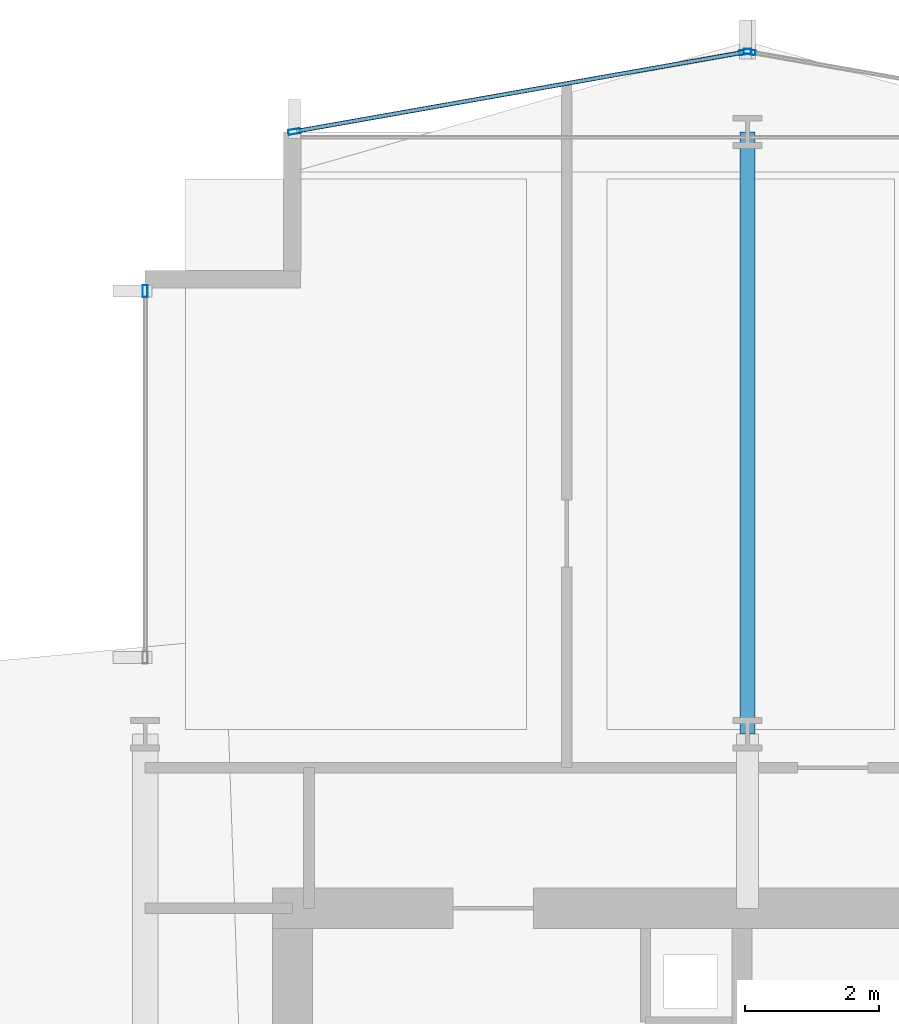
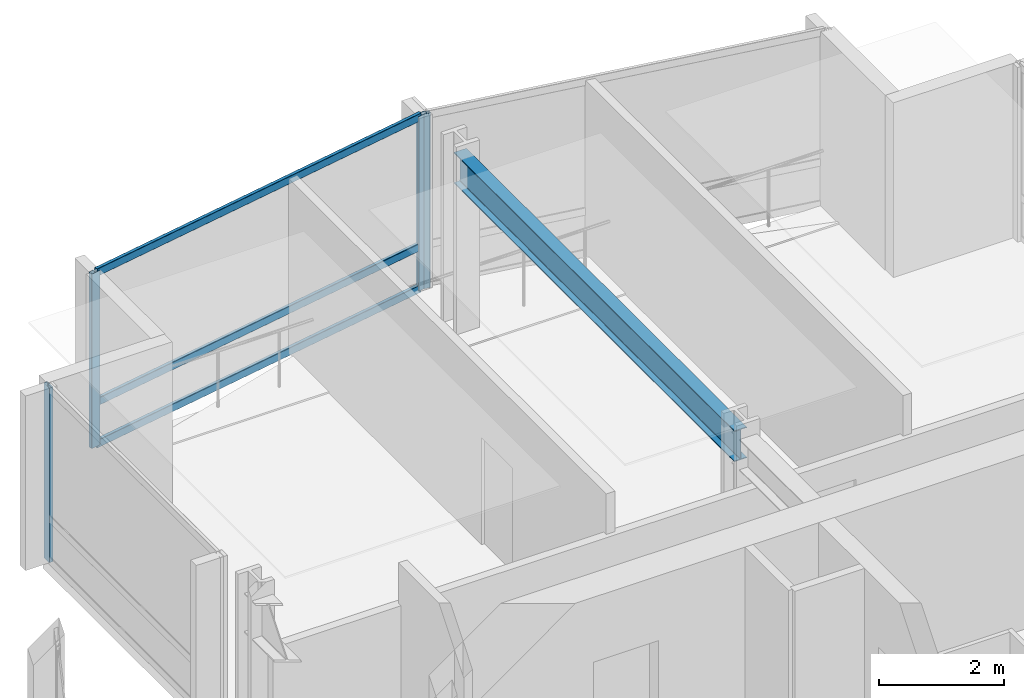
# One storey, part 23 of 34: 7 members, 1 beam, 3 elements without a shape of their own.
"""IFC4 building model written with IfcOpenShell, lengths in metres."""

from ifc_helpers import new_model, si_unit, direction, frame, origin, origin_2d, place, context, subcontext, project, spatial, hollow_rectangle, i_section, extrude, material, layer, layer_set, material_profile, profile_set, type_object, element, aggregate, save


model = new_model("IFC4")

# Units and contexts
model_context = context("Model", 3, precision=1e-05, world=origin(), true_north=direction((0.0, 1.0)))
body_context = subcontext(model_context, "Body", "Model", "MODEL_VIEW")
ifc_project = project(units=[si_unit("LENGTHUNIT", "METRE"), si_unit("AREAUNIT", "SQUARE_METRE"), si_unit("VOLUMEUNIT", "CUBIC_METRE"), si_unit("PLANEANGLEUNIT", "RADIAN"), si_unit("MASSUNIT", "GRAM", prefix="KILO")], contexts=[model_context])

# Site, building, storey
site_placement = place(None, origin())
site = spatial("IfcSite", under=ifc_project, at=site_placement, CompositionType="ELEMENT")
building_placement = place(site_placement, origin())
building = spatial("IfcBuilding", under=site, at=building_placement, Name="Solvaryn Broadcast Tower", CompositionType="ELEMENT")
storey_placement = place(building_placement, frame((0.0, 0.0, 39.699951171875)))
storey = spatial("IfcBuildingStorey", under=building, at=storey_placement, Name="L08", CompositionType="ELEMENT", Elevation=39.699951171875)

# Beam
ifc_material_1 = material(Name="Steel ASTM A992 Grade 50", Category="steel")
ifc_material_profile_1 = material_profile(ifc_material_1, i_section(OverallWidth=0.22802734375, OverallDepth=0.60791015625, WebThickness=0.01123046875, FlangeThickness=0.017333984375, FilletRadius=0.014892578125, at=origin_2d()))
ifc_profile_set_1 = profile_set([ifc_material_profile_1], Name="Steel ASTM A992 Grade 50")
beam_type = type_object("IfcBeamType", Name="BM-B2-W24X76", PredefinedType="BEAM", material=ifc_profile_set_1)
beam_placement = place(storey_placement, frame((18.0, 45.0, 3.115966796875), z_axis=(0.0, 1.0, 0.0), x_axis=(-1.0, 0.0, 0.0)))
element("IfcBeam", 1, at=beam_placement, inside=storey, type_object=beam_type, Name="L08 Primary Beam Y (45-54 @ X=18)", PredefinedType="BEAM", context=body_context, shape_type="SweptSolid", body=[
    extrude(i_section(OverallWidth=0.22802734375, OverallDepth=0.60791015625, WebThickness=0.01123046875, FlangeThickness=0.017333984375, FilletRadius=0.014892578125, at=origin_2d()), origin(), (0.0, 0.0, 1.0), 9.0),
])

# Curtain wall, member
ifc_material_2 = material(Name="Aluminium and Terracotta Unitised Curtain Wall", Category="masonry")
ifc_layer = layer(ifc_material_2, 0.199951171875)
ifc_layer_set = layer_set([ifc_layer], Name="CW-SYS2-LOWMID")
curtain_wall_type = type_object("IfcCurtainWallType", Name="CW-SYS2-LOWMID", PredefinedType="NOTDEFINED", material=ifc_layer_set)
curtain_wall_1_placement = place(storey_placement, origin())
curtain_wall_1 = element("IfcCurtainWall", 2, at=curtain_wall_1_placement, inside=storey, type_object=curtain_wall_type, Name="L08 Curtain Wall W2", PredefinedType="NOTDEFINED")
ifc_material_3 = material(Name="Anodised Aluminium 6063-T6", Category="aluminium")
ifc_material_profile_2 = material_profile(ifc_material_3, hollow_rectangle(XDim=0.074951171875, YDim=0.179931640625, WallThickness=0.00390625, InnerFilletRadius=0.00390625, OuterFilletRadius=0.008056640625, at=origin_2d()))
ifc_profile_set_2 = profile_set([ifc_material_profile_2], Name="Anodised Aluminium 6063-T6")
member_type_1 = type_object("IfcMemberType", Name="CW-MUL-180", PredefinedType="MULLION", material=ifc_profile_set_2)
member_1_placement = place(storey_placement, frame((9.0, 51.6201171875, 0.0), z_axis=(0.0, 0.0, 1.0), x_axis=(-1.0, 0.0, 0.0)))
member_1 = element("IfcMember", 3, at=member_1_placement, type_object=member_type_1, Name="CWS2 mullion 2", PredefinedType="MULLION", context=body_context, shape_type="SweptSolid", body=[
    extrude(hollow_rectangle(XDim=0.074951171875, YDim=0.179931640625, WallThickness=0.00390625, InnerFilletRadius=0.00390625, OuterFilletRadius=0.008056640625, at=origin_2d()), origin(), (0.0, 0.0, 1.0), 3.420166015625),
])
aggregate(curtain_wall_1, [member_1])

curtain_wall_2_placement = place(storey_placement, origin())
curtain_wall_2 = element("IfcCurtainWall", 4, at=curtain_wall_2_placement, inside=storey, type_object=curtain_wall_type, Name="L08 Curtain Wall NT1", PredefinedType="NOTDEFINED")
member_2_placement = place(storey_placement, frame((18.029541015625, 55.19482421875, 0.0), z_axis=(0.0, 0.0, 1.0), x_axis=(-0.173785333901, -0.984783558819, 0.0)))
member_2 = element("IfcMember", 5, at=member_2_placement, type_object=member_type_1, Name="CWS2 mullion 2", PredefinedType="MULLION", context=body_context, shape_type="SweptSolid", body=[
    extrude(hollow_rectangle(XDim=0.074951171875, YDim=0.179931640625, WallThickness=0.00390625, InnerFilletRadius=0.00390625, OuterFilletRadius=0.008056640625, at=origin_2d()), origin(), (0.0, 0.0, 1.0), 3.420166015625),
])
aggregate(curtain_wall_2, [member_2])

# Curtain wall, members
curtain_wall_3_placement = place(storey_placement, origin())
curtain_wall_3 = element("IfcCurtainWall", 6, at=curtain_wall_3_placement, inside=storey, type_object=curtain_wall_type, Name="L08 Curtain Wall NT2", PredefinedType="NOTDEFINED")
member_3_placement = place(storey_placement, frame((17.970458984375, 55.19482421875, 0.0), z_axis=(0.0, 0.0, 1.0), x_axis=(0.173785333901, -0.984783558819, 0.0)))
member_3 = element("IfcMember", 7, at=member_3_placement, type_object=member_type_1, Name="CWS2 mullion 1", PredefinedType="MULLION", context=body_context, shape_type="SweptSolid", body=[
    extrude(hollow_rectangle(XDim=0.074951171875, YDim=0.179931640625, WallThickness=0.00390625, InnerFilletRadius=0.00390625, OuterFilletRadius=0.008056640625, at=origin_2d()), origin(), (0.0, 0.0, 1.0), 3.420166015625),
])
member_4_placement = place(storey_placement, frame((11.2294921875, 54.005126953125, 0.0), z_axis=(0.0, 0.0, 1.0), x_axis=(0.173785333901, -0.984783558819, 0.0)))
member_4 = element("IfcMember", 8, at=member_4_placement, type_object=member_type_1, Name="CWS2 mullion 2", PredefinedType="MULLION", context=body_context, shape_type="SweptSolid", body=[
    extrude(hollow_rectangle(XDim=0.074951171875, YDim=0.179931640625, WallThickness=0.00390625, InnerFilletRadius=0.00390625, OuterFilletRadius=0.008056640625, at=origin_2d()), origin(), (0.0, 0.0, 1.0), 3.420166015625),
])
ifc_material_4 = material(Name="Anodised Aluminium 6063-T6", Category="aluminium")
ifc_material_profile_3 = material_profile(ifc_material_4, hollow_rectangle(XDim=0.06494140625, YDim=0.14990234375, WallThickness=0.00390625, InnerFilletRadius=0.00390625, OuterFilletRadius=0.008056640625, at=origin_2d()))
ifc_profile_set_3 = profile_set([ifc_material_profile_3], Name="Anodised Aluminium 6063-T6")
member_type_2 = type_object("IfcMemberType", Name="CW-TRN-150", PredefinedType="USERDEFINED", material=ifc_profile_set_3)
member_5_placement = place(storey_placement, frame((17.94091796875, 55.189453125, 0.030029296875), z_axis=(-0.984788629673, -0.173756596613, 0.0), x_axis=(0.173756596613, -0.984788629673, 0.0)))
member_5 = element("IfcMember", 9, at=member_5_placement, type_object=member_type_2, Name="CWS2 transom 1.1", ObjectType="TRANSOM", PredefinedType="USERDEFINED", context=body_context, shape_type="SweptSolid", body=[
    extrude(hollow_rectangle(XDim=0.06494140625, YDim=0.14990234375, WallThickness=0.00390625, InnerFilletRadius=0.00390625, OuterFilletRadius=0.008056640625, at=origin_2d()), origin(), (0.0, 0.0, 1.0), 6.78515625),
])
member_6_placement = place(storey_placement, frame((17.94091796875, 55.189453125, 0.85009765625), z_axis=(-0.984788629673, -0.173756596613, 0.0), x_axis=(0.173756596613, -0.984788629673, 0.0)))
member_6 = element("IfcMember", 10, at=member_6_placement, type_object=member_type_2, Name="CWS2 transom 1.2", ObjectType="TRANSOM", PredefinedType="USERDEFINED", context=body_context, shape_type="SweptSolid", body=[
    extrude(hollow_rectangle(XDim=0.06494140625, YDim=0.14990234375, WallThickness=0.00390625, InnerFilletRadius=0.00390625, OuterFilletRadius=0.008056640625, at=origin_2d()), origin(), (0.0, 0.0, 1.0), 6.78515625),
])
member_7_placement = place(storey_placement, frame((17.94091796875, 55.189453125, 3.39013671875), z_axis=(-0.984788629673, -0.173756596613, 0.0), x_axis=(0.173756596613, -0.984788629673, 0.0)))
member_7 = element("IfcMember", 11, at=member_7_placement, type_object=member_type_2, Name="CWS2 transom 1.3", ObjectType="TRANSOM", PredefinedType="USERDEFINED", context=body_context, shape_type="SweptSolid", body=[
    extrude(hollow_rectangle(XDim=0.06494140625, YDim=0.14990234375, WallThickness=0.00390625, InnerFilletRadius=0.00390625, OuterFilletRadius=0.008056640625, at=origin_2d()), origin(), (0.0, 0.0, 1.0), 6.78515625),
])
aggregate(curtain_wall_3, [member_3, member_4, member_5, member_6, member_7])

save(model, "model.ifc")
